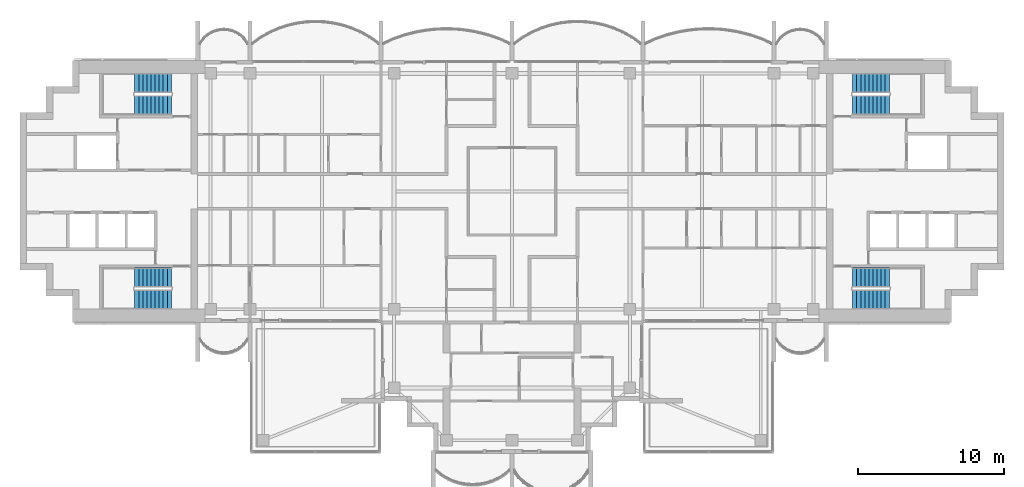
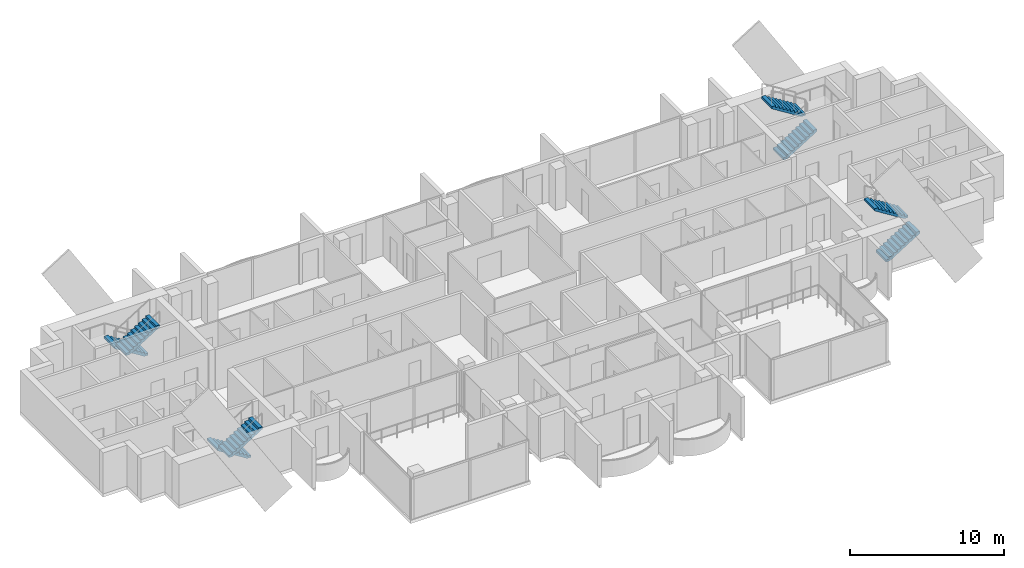
# One storey, part 12 of 16: 8 stair flights, 4 elements without a shape of their own.
"""IFC4 building model written with IfcOpenShell, lengths in metres."""

from ifc_helpers import new_model, si_unit, direction, frame, origin, place, context, subcontext, project, spatial, polyline, outline, extrude, material, type_object, element, aggregate, save


model = new_model("IFC4")

# Units and contexts
model_context = context("Model", 3, precision=1e-05, world=origin(), true_north=direction((0.0, 1.0)))
body_context = subcontext(model_context, "Body", "Model", "MODEL_VIEW")
ifc_project = project(units=[si_unit("LENGTHUNIT", "METRE"), si_unit("AREAUNIT", "SQUARE_METRE"), si_unit("VOLUMEUNIT", "CUBIC_METRE"), si_unit("PLANEANGLEUNIT", "RADIAN"), si_unit("MASSUNIT", "GRAM", prefix="KILO")], contexts=[model_context])

# Site, building, storey
site_placement = place(None, origin())
site = spatial("IfcSite", under=ifc_project, at=site_placement, CompositionType="ELEMENT")
building_placement = place(site_placement, origin())
building = spatial("IfcBuilding", under=site, at=building_placement, Name="Perihelion Cross Residences", CompositionType="ELEMENT")
storey_placement = place(building_placement, frame((0.0, 0.0, 250.0)))
storey = spatial("IfcBuildingStorey", under=building, at=storey_placement, Name="L63", CompositionType="ELEMENT", Elevation=250.0)

# Stair, stair flights
ifc_material_1 = material(Name="Concrete C40/50", Category="concrete")
stair_type = type_object("IfcStairType", Name="Exit stair, half-turn", PredefinedType="HALF_TURN_STAIR", material=ifc_material_1)
stair_1_placement = place(storey_placement, origin())
stair_1 = element("IfcStair", 1, at=stair_1_placement, inside=storey, type_object=stair_type, Name="L63 East core exit stair 1", PredefinedType="HALF_TURN_STAIR")
ifc_material_2 = material(Name="Concrete C40/50", Category="concrete")
stair_flight_type = type_object("IfcStairFlightType", Name="Exit stair flight", PredefinedType="STRAIGHT", material=ifc_material_2)
stair_flight_1_placement = place(storey_placement, frame((23.39990234375, 5.925048828125, 0.0), z_axis=(0.0, 0.0, 1.0), x_axis=(1.0, 0.0, 0.0)))
stair_flight_1 = element("IfcStairFlight", 2, at=stair_flight_1_placement, type_object=stair_flight_type, Name="ST-E1 flight 1", NumberOfRisers=10, NumberOfTreads=9, PredefinedType="STRAIGHT", RiserHeight=0.175, TreadLength=0.28, context=body_context, shape_type="SweptSolid", body=[
    extrude(outline(polyline([(0.0, 0.0), (0.0, 0.175048828125), (0.280029296875, 0.175048828125), (0.280029296875, 0.35009765625), (0.56005859375, 0.35009765625), (0.56005859375, 0.52490234375), (0.840087890625, 0.52490234375), (0.840087890625, 0.699951171875), (1.1201171875, 0.699951171875), (1.1201171875, 0.875), (1.39990234375, 0.875), (1.39990234375, 1.050048828125), (1.679931640625, 1.050048828125), (1.679931640625, 1.22509765625), (1.9599609375, 1.22509765625), (1.9599609375, 1.39990234375), (2.239990234375, 1.39990234375), (2.239990234375, 1.574951171875), (2.52001953125, 1.574951171875), (2.52001953125, 1.75), (2.52001953125, 1.398193359375), (0.28271484375, 0.0), (0.0, 0.0)])), frame((0.0, 0.675048828125, 0.0), z_axis=(0.0, -1.0, 0.0), x_axis=(1.0, 0.0, 0.0)), (0.0, 0.0, 1.0), 1.35009765625),
])
stair_flight_2_placement = place(storey_placement, frame((25.919921875, 7.425048828125, 1.75), z_axis=(0.0, 0.0, 1.0), x_axis=(-1.0, 0.0, 0.0)))
stair_flight_2 = element("IfcStairFlight", 3, at=stair_flight_2_placement, type_object=stair_flight_type, Name="ST-E1 flight 2", NumberOfRisers=10, NumberOfTreads=9, PredefinedType="STRAIGHT", RiserHeight=0.175, TreadLength=0.28, context=body_context, shape_type="SweptSolid", body=[
    extrude(outline(polyline([(0.0, 0.0), (0.0, 0.175048828125), (0.280029296875, 0.175048828125), (0.280029296875, 0.35009765625), (0.56005859375, 0.35009765625), (0.56005859375, 0.52490234375), (0.840087890625, 0.52490234375), (0.840087890625, 0.699951171875), (1.1201171875, 0.699951171875), (1.1201171875, 0.875), (1.39990234375, 0.875), (1.39990234375, 1.050048828125), (1.679931640625, 1.050048828125), (1.679931640625, 1.22509765625), (1.9599609375, 1.22509765625), (1.9599609375, 1.39990234375), (2.239990234375, 1.39990234375), (2.239990234375, 1.574951171875), (2.52001953125, 1.574951171875), (2.52001953125, 1.75), (2.52001953125, 1.398193359375), (0.28271484375, 0.0), (0.0, 0.0)])), frame((0.0, 0.675048828125, 0.0), z_axis=(0.0, -1.0, 0.0), x_axis=(1.0, 0.0, 0.0)), (0.0, 0.0, 1.0), 1.35009765625),
])
aggregate(stair_1, [stair_flight_1, stair_flight_2])

stair_2_placement = place(storey_placement, origin())
stair_2 = element("IfcStair", 4, at=stair_2_placement, inside=storey, type_object=stair_type, Name="L63 East core exit stair 2", PredefinedType="HALF_TURN_STAIR")
stair_flight_3_placement = place(storey_placement, frame((23.39990234375, -7.425048828125, 0.0), z_axis=(0.0, 0.0, 1.0), x_axis=(1.0, 0.0, 0.0)))
stair_flight_3 = element("IfcStairFlight", 5, at=stair_flight_3_placement, type_object=stair_flight_type, Name="ST-E2 flight 1", NumberOfRisers=10, NumberOfTreads=9, PredefinedType="STRAIGHT", RiserHeight=0.175, TreadLength=0.28, context=body_context, shape_type="SweptSolid", body=[
    extrude(outline(polyline([(0.0, 0.0), (0.0, 0.175048828125), (0.280029296875, 0.175048828125), (0.280029296875, 0.35009765625), (0.56005859375, 0.35009765625), (0.56005859375, 0.52490234375), (0.840087890625, 0.52490234375), (0.840087890625, 0.699951171875), (1.1201171875, 0.699951171875), (1.1201171875, 0.875), (1.39990234375, 0.875), (1.39990234375, 1.050048828125), (1.679931640625, 1.050048828125), (1.679931640625, 1.22509765625), (1.9599609375, 1.22509765625), (1.9599609375, 1.39990234375), (2.239990234375, 1.39990234375), (2.239990234375, 1.574951171875), (2.52001953125, 1.574951171875), (2.52001953125, 1.75), (2.52001953125, 1.398193359375), (0.28271484375, 0.0), (0.0, 0.0)])), frame((0.0, 0.675048828125, 0.0), z_axis=(0.0, -1.0, 0.0), x_axis=(1.0, 0.0, 0.0)), (0.0, 0.0, 1.0), 1.35009765625),
])
stair_flight_4_placement = place(storey_placement, frame((25.919921875, -5.925048828125, 1.75), z_axis=(0.0, 0.0, 1.0), x_axis=(-1.0, 0.0, 0.0)))
stair_flight_4 = element("IfcStairFlight", 6, at=stair_flight_4_placement, type_object=stair_flight_type, Name="ST-E2 flight 2", NumberOfRisers=10, NumberOfTreads=9, PredefinedType="STRAIGHT", RiserHeight=0.175, TreadLength=0.28, context=body_context, shape_type="SweptSolid", body=[
    extrude(outline(polyline([(0.0, 0.0), (0.0, 0.175048828125), (0.280029296875, 0.175048828125), (0.280029296875, 0.35009765625), (0.56005859375, 0.35009765625), (0.56005859375, 0.52490234375), (0.840087890625, 0.52490234375), (0.840087890625, 0.699951171875), (1.1201171875, 0.699951171875), (1.1201171875, 0.875), (1.39990234375, 0.875), (1.39990234375, 1.050048828125), (1.679931640625, 1.050048828125), (1.679931640625, 1.22509765625), (1.9599609375, 1.22509765625), (1.9599609375, 1.39990234375), (2.239990234375, 1.39990234375), (2.239990234375, 1.574951171875), (2.52001953125, 1.574951171875), (2.52001953125, 1.75), (2.52001953125, 1.398193359375), (0.28271484375, 0.0), (0.0, 0.0)])), frame((0.0, 0.675048828125, 0.0), z_axis=(0.0, -1.0, 0.0), x_axis=(1.0, 0.0, 0.0)), (0.0, 0.0, 1.0), 1.35009765625),
])
aggregate(stair_2, [stair_flight_3, stair_flight_4])

stair_3_placement = place(storey_placement, origin())
stair_3 = element("IfcStair", 7, at=stair_3_placement, inside=storey, type_object=stair_type, Name="L63 West core exit stair 1", PredefinedType="HALF_TURN_STAIR")
stair_flight_5_placement = place(storey_placement, frame((-23.39990234375, 7.425048828125, 0.0), z_axis=(0.0, 0.0, 1.0), x_axis=(-1.0, 0.0, 0.0)))
stair_flight_5 = element("IfcStairFlight", 8, at=stair_flight_5_placement, type_object=stair_flight_type, Name="ST-W1 flight 1", NumberOfRisers=10, NumberOfTreads=9, PredefinedType="STRAIGHT", RiserHeight=0.175, TreadLength=0.28, context=body_context, shape_type="SweptSolid", body=[
    extrude(outline(polyline([(0.0, 0.0), (0.0, 0.175048828125), (0.280029296875, 0.175048828125), (0.280029296875, 0.35009765625), (0.56005859375, 0.35009765625), (0.56005859375, 0.52490234375), (0.840087890625, 0.52490234375), (0.840087890625, 0.699951171875), (1.1201171875, 0.699951171875), (1.1201171875, 0.875), (1.39990234375, 0.875), (1.39990234375, 1.050048828125), (1.679931640625, 1.050048828125), (1.679931640625, 1.22509765625), (1.9599609375, 1.22509765625), (1.9599609375, 1.39990234375), (2.239990234375, 1.39990234375), (2.239990234375, 1.574951171875), (2.52001953125, 1.574951171875), (2.52001953125, 1.75), (2.52001953125, 1.398193359375), (0.28271484375, 0.0), (0.0, 0.0)])), frame((0.0, 0.675048828125, 0.0), z_axis=(0.0, -1.0, 0.0), x_axis=(1.0, 0.0, 0.0)), (0.0, 0.0, 1.0), 1.35009765625),
])
stair_flight_6_placement = place(storey_placement, frame((-25.919921875, 5.925048828125, 1.75), z_axis=(0.0, 0.0, 1.0), x_axis=(1.0, 0.0, 0.0)))
stair_flight_6 = element("IfcStairFlight", 9, at=stair_flight_6_placement, type_object=stair_flight_type, Name="ST-W1 flight 2", NumberOfRisers=10, NumberOfTreads=9, PredefinedType="STRAIGHT", RiserHeight=0.175, TreadLength=0.28, context=body_context, shape_type="SweptSolid", body=[
    extrude(outline(polyline([(0.0, 0.0), (0.0, 0.175048828125), (0.280029296875, 0.175048828125), (0.280029296875, 0.35009765625), (0.56005859375, 0.35009765625), (0.56005859375, 0.52490234375), (0.840087890625, 0.52490234375), (0.840087890625, 0.699951171875), (1.1201171875, 0.699951171875), (1.1201171875, 0.875), (1.39990234375, 0.875), (1.39990234375, 1.050048828125), (1.679931640625, 1.050048828125), (1.679931640625, 1.22509765625), (1.9599609375, 1.22509765625), (1.9599609375, 1.39990234375), (2.239990234375, 1.39990234375), (2.239990234375, 1.574951171875), (2.52001953125, 1.574951171875), (2.52001953125, 1.75), (2.52001953125, 1.398193359375), (0.28271484375, 0.0), (0.0, 0.0)])), frame((0.0, 0.675048828125, 0.0), z_axis=(0.0, -1.0, 0.0), x_axis=(1.0, 0.0, 0.0)), (0.0, 0.0, 1.0), 1.35009765625),
])
aggregate(stair_3, [stair_flight_5, stair_flight_6])

stair_4_placement = place(storey_placement, origin())
stair_4 = element("IfcStair", 10, at=stair_4_placement, inside=storey, type_object=stair_type, Name="L63 West core exit stair 2", PredefinedType="HALF_TURN_STAIR")
stair_flight_7_placement = place(storey_placement, frame((-23.39990234375, -5.925048828125, 0.0), z_axis=(0.0, 0.0, 1.0), x_axis=(-1.0, 0.0, 0.0)))
stair_flight_7 = element("IfcStairFlight", 11, at=stair_flight_7_placement, type_object=stair_flight_type, Name="ST-W2 flight 1", NumberOfRisers=10, NumberOfTreads=9, PredefinedType="STRAIGHT", RiserHeight=0.175, TreadLength=0.28, context=body_context, shape_type="SweptSolid", body=[
    extrude(outline(polyline([(0.0, 0.0), (0.0, 0.175048828125), (0.280029296875, 0.175048828125), (0.280029296875, 0.35009765625), (0.56005859375, 0.35009765625), (0.56005859375, 0.52490234375), (0.840087890625, 0.52490234375), (0.840087890625, 0.699951171875), (1.1201171875, 0.699951171875), (1.1201171875, 0.875), (1.39990234375, 0.875), (1.39990234375, 1.050048828125), (1.679931640625, 1.050048828125), (1.679931640625, 1.22509765625), (1.9599609375, 1.22509765625), (1.9599609375, 1.39990234375), (2.239990234375, 1.39990234375), (2.239990234375, 1.574951171875), (2.52001953125, 1.574951171875), (2.52001953125, 1.75), (2.52001953125, 1.398193359375), (0.28271484375, 0.0), (0.0, 0.0)])), frame((0.0, 0.675048828125, 0.0), z_axis=(0.0, -1.0, 0.0), x_axis=(1.0, 0.0, 0.0)), (0.0, 0.0, 1.0), 1.35009765625),
])
stair_flight_8_placement = place(storey_placement, frame((-25.919921875, -7.425048828125, 1.75), z_axis=(0.0, 0.0, 1.0), x_axis=(1.0, 0.0, 0.0)))
stair_flight_8 = element("IfcStairFlight", 12, at=stair_flight_8_placement, type_object=stair_flight_type, Name="ST-W2 flight 2", NumberOfRisers=10, NumberOfTreads=9, PredefinedType="STRAIGHT", RiserHeight=0.175, TreadLength=0.28, context=body_context, shape_type="SweptSolid", body=[
    extrude(outline(polyline([(0.0, 0.0), (0.0, 0.175048828125), (0.280029296875, 0.175048828125), (0.280029296875, 0.35009765625), (0.56005859375, 0.35009765625), (0.56005859375, 0.52490234375), (0.840087890625, 0.52490234375), (0.840087890625, 0.699951171875), (1.1201171875, 0.699951171875), (1.1201171875, 0.875), (1.39990234375, 0.875), (1.39990234375, 1.050048828125), (1.679931640625, 1.050048828125), (1.679931640625, 1.22509765625), (1.9599609375, 1.22509765625), (1.9599609375, 1.39990234375), (2.239990234375, 1.39990234375), (2.239990234375, 1.574951171875), (2.52001953125, 1.574951171875), (2.52001953125, 1.75), (2.52001953125, 1.398193359375), (0.28271484375, 0.0), (0.0, 0.0)])), frame((0.0, 0.675048828125, 0.0), z_axis=(0.0, -1.0, 0.0), x_axis=(1.0, 0.0, 0.0)), (0.0, 0.0, 1.0), 1.35009765625),
])
aggregate(stair_4, [stair_flight_7, stair_flight_8])

save(model, "model.ifc")
